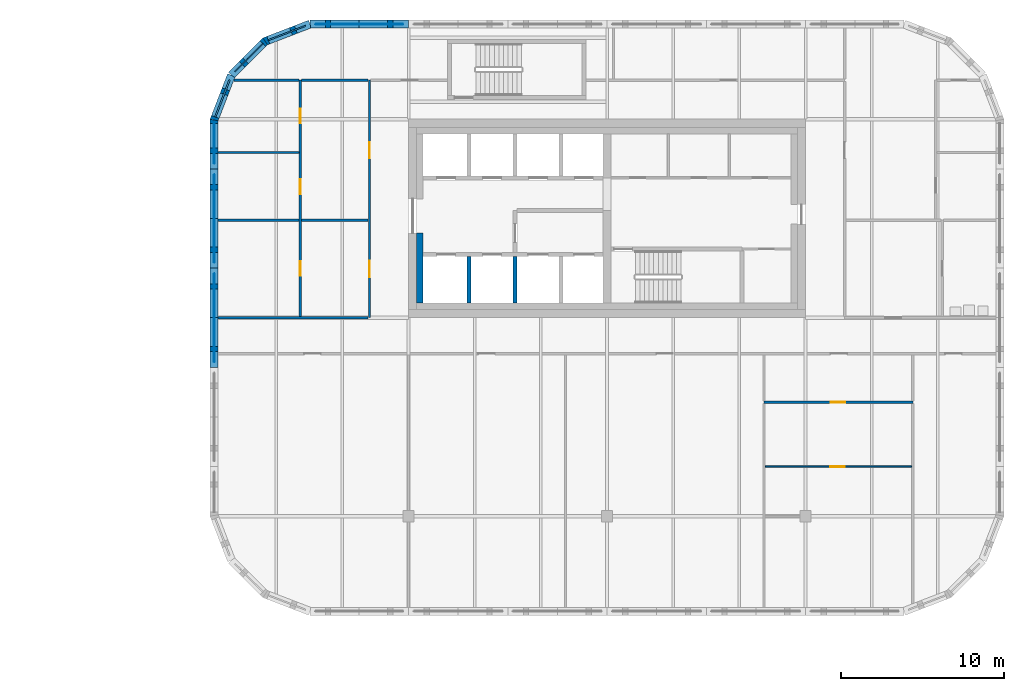
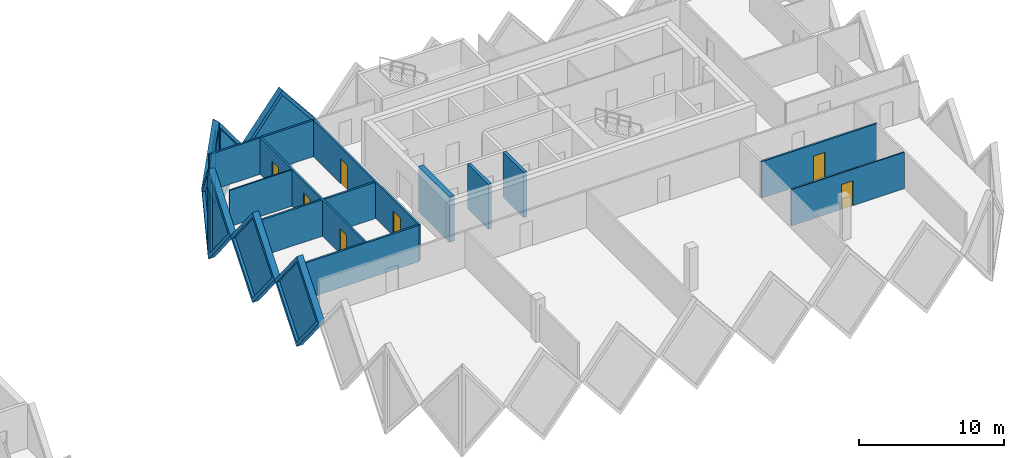
# One storey, part 12 of 19: 20 walls, 7 doors, 7 plates, 14 openings.
"""IFC4 building model written with IfcOpenShell, lengths in metres."""

import ifcopenshell
import ifcopenshell.guid

model = None  # the IFC model being written
_history = None  # IfcOwnerHistory: only IFC2X3 demands one
_inside = {}  # id of a spatial element -> (the spatial element, [elements in it])
_under = {}  # id of a project, library or spatial element -> (it, [spatial elements below it])
_declared = {}  # id of a project -> (the project, [libraries it declares])
_typed = {}  # id of a type object -> (the type object, [elements of that type])
_made_of = {}  # id of a material, layer set ... -> (it, [elements and type objects made of it])


def new_model(schema):
    """Start an empty IFC model of exactly this schema.

    Asked for "IFC4X3", IfcOpenShell would pick the latest addendum, in which some entities
    have other attributes; the version numbers below select the first issue.
    IFC2X3 requires an IfcOwnerHistory on every rooted entity: one is made here for all.
    """
    global model, _history
    if schema == "IFC4X3":
        model = ifcopenshell.file(schema_version=(4, 3, 0, 0))
    else:
        model = ifcopenshell.file(schema=schema)
    _inside.clear()
    _under.clear()
    _declared.clear()
    _typed.clear()
    _made_of.clear()
    _history = None
    if model.schema == "IFC2X3":
        org = make("IfcOrganization", Name="unknown")
        user = make(
            "IfcPersonAndOrganization",
            ThePerson=make("IfcPerson", FamilyName="unknown"),
            TheOrganization=org,
        )
        app = make(
            "IfcApplication",
            ApplicationDeveloper=org,
            Version="unknown",
            ApplicationFullName="unknown",
            ApplicationIdentifier="unknown",
        )
        _history = make(
            "IfcOwnerHistory",
            OwningUser=user,
            OwningApplication=app,
            ChangeAction="ADDED",
            CreationDate=0,
        )
    return model


def make(cls, **values):
    """One entity of the class cls with the attributes given. An attribute that is None is left unset."""
    return model.create_entity(
        cls, **{name: value for name, value in values.items() if value is not None}
    )


def rooted(cls, **values):
    """An entity with a GlobalId (a new one), such as an element, a storey or a relation."""
    return make(cls, GlobalId=ifcopenshell.guid.new(), OwnerHistory=_history, **values)


def si_unit(unit_type, name, prefix=None):
    """IfcSIUnit, for example si_unit("LENGTHUNIT", "METRE", prefix="MILLI")."""
    return make("IfcSIUnit", UnitType=unit_type, Prefix=prefix, Name=name)


def assignment(units):
    """IfcUnitAssignment: the units of a project."""
    return None if units is None else make("IfcUnitAssignment", Units=units)


def point(xyz):
    """IfcCartesianPoint."""
    return None if xyz is None else make("IfcCartesianPoint", Coordinates=xyz)


def direction(xyz):
    """IfcDirection."""
    return None if xyz is None else make("IfcDirection", DirectionRatios=xyz)


def frame(location, z_axis=None, x_axis=None):
    """IfcAxis2Placement3D, a coordinate frame: its origin and axes. An axis left out is left unset."""
    return make(
        "IfcAxis2Placement3D",
        Location=point(location),
        Axis=direction(z_axis),
        RefDirection=direction(x_axis),
    )


def frame_2d(location, x_axis=None):
    """IfcAxis2Placement2D, a coordinate frame in the plane: its origin and x axis."""
    return make(
        "IfcAxis2Placement2D", Location=point(location), RefDirection=direction(x_axis)
    )


def origin():
    """The frame at (0, 0, 0) with its axes left unset."""
    return frame((0.0, 0.0, 0.0))


def place(relative_to, where):
    """IfcLocalPlacement: puts the frame where relative to a parent placement (None: the world)."""
    return make(
        "IfcLocalPlacement", PlacementRelTo=relative_to, RelativePlacement=where
    )


def context(
    kind, dimensions, precision=None, world=None, true_north=None, identifier=None
):
    """IfcGeometricRepresentationContext, for example the 3D "Model" context."""
    return make(
        "IfcGeometricRepresentationContext",
        ContextIdentifier=identifier,
        ContextType=kind,
        CoordinateSpaceDimension=dimensions,
        Precision=precision,
        WorldCoordinateSystem=world,
        TrueNorth=true_north,
    )


def subcontext(parent, identifier, kind, view, scale=None):
    """IfcGeometricRepresentationSubContext, for example "Body" below "Model"."""
    return make(
        "IfcGeometricRepresentationSubContext",
        ContextIdentifier=identifier,
        ContextType=kind,
        ParentContext=parent,
        TargetScale=scale,
        TargetView=view,
    )


def project(units=None, contexts=None):
    """IfcProject with its units and contexts."""
    return rooted(
        "IfcProject",
        Name="project",
        RepresentationContexts=contexts,
        UnitsInContext=assignment(units),
    )


def spatial(cls, under=None, at=None, **own):
    """A site, building, storey or space (cls), placed at a placement, below another one or the project."""
    s = rooted(cls, ObjectPlacement=at, **own)
    if under is not None:
        _under.setdefault(under.id(), (under, []))[1].append(s)
    return s


def polyline(points):
    """IfcPolyline through the points."""
    return make("IfcPolyline", Points=[point(p) for p in points])


def profile(cls, at=None, kind="AREA", **sizes):
    """A parametric profile (cls). Its sizes go by their IFC names, for example OverallWidth=200.0."""
    return make(cls, ProfileType=kind, Position=at, **sizes)


def rectangle(**sizes):
    """IfcRectangleProfileDef."""
    return profile("IfcRectangleProfileDef", **sizes)


def outline(outer, holes=None, kind="AREA"):
    """IfcArbitraryClosedProfileDef: a profile drawn as a closed curve; with holes, ...WithVoids."""
    if holes is None:
        return make("IfcArbitraryClosedProfileDef", ProfileType=kind, OuterCurve=outer)
    return make(
        "IfcArbitraryProfileDefWithVoids",
        ProfileType=kind,
        OuterCurve=outer,
        InnerCurves=holes,
    )


def extrude(swept, where, along, depth):
    """IfcExtrudedAreaSolid: the profile swept, set in the frame where, extruded along a direction by depth."""
    return make(
        "IfcExtrudedAreaSolid",
        SweptArea=swept,
        Position=where,
        ExtrudedDirection=direction(along),
        Depth=depth,
    )


def faces_of(points, faces, orient=None, outer=None):
    """IfcFace entities. A face is a list of loops; a loop is a list of indices into points, from 0.

    orient and outer hold one flag for each loop. By default every Orientation is true, the
    first loop of a face is its IfcFaceOuterBound and the others are IfcFaceBound.
    """
    made = []
    for i, loops in enumerate(faces):
        bounds = []
        for j, loop in enumerate(loops):
            is_outer = j == 0 if outer is None else outer[i][j]
            bounds.append(
                make(
                    "IfcFaceOuterBound" if is_outer else "IfcFaceBound",
                    Bound=make("IfcPolyLoop", Polygon=[points[k] for k in loop]),
                    Orientation=True if orient is None else orient[i][j],
                )
            )
        made.append(make("IfcFace", Bounds=bounds))
    return made


def faceted_brep(points, faces, orient=None, outer=None, voids=None):
    """IfcFacetedBrep: a solid bounded by flat faces; with voids (closed shells), ...WithVoids."""
    shared = [point(p) for p in points]
    hull = make("IfcClosedShell", CfsFaces=faces_of(shared, faces, orient, outer))
    if voids is None:
        return make("IfcFacetedBrep", Outer=hull)
    return make(
        "IfcFacetedBrepWithVoids",
        Outer=hull,
        Voids=[
            make(cls, CfsFaces=faces_of(shared, fs, o, b)) for cls, fs, o, b in voids
        ],
    )


def shape(context_of_items, identifier, shape_type, items):
    """IfcShapeRepresentation: the items that make up one representation, for example the "Body"."""
    return make(
        "IfcShapeRepresentation",
        ContextOfItems=context_of_items,
        RepresentationIdentifier=identifier,
        RepresentationType=shape_type,
        Items=items,
    )


def source(mapping_origin, context_of_items, identifier, shape_type, items):
    """IfcRepresentationMap: a shape defined once, which mapped items show again and again."""
    return make(
        "IfcRepresentationMap",
        MappingOrigin=mapping_origin,
        MappedRepresentation=shape(context_of_items, identifier, shape_type, items),
    )


def transform(
    local_origin,
    x_axis=None,
    y_axis=None,
    z_axis=None,
    scale=None,
    scale2=None,
    scale3=None,
    uniform=True,
):
    """IfcCartesianTransformationOperator3D, or its non-uniform kind. x_axis, y_axis, z_axis: its Axis1, 2, 3."""
    if uniform:
        return make(
            "IfcCartesianTransformationOperator3D",
            Axis1=direction(x_axis),
            Axis2=direction(y_axis),
            LocalOrigin=point(local_origin),
            Scale=scale,
            Axis3=direction(z_axis),
        )
    return make(
        "IfcCartesianTransformationOperator3DnonUniform",
        Axis1=direction(x_axis),
        Axis2=direction(y_axis),
        LocalOrigin=point(local_origin),
        Scale=scale,
        Axis3=direction(z_axis),
        Scale2=scale2,
        Scale3=scale3,
    )


def mapped(mapping_source, mapping_target):
    """IfcMappedItem: shows the shape of a source again, moved by a transform."""
    return make(
        "IfcMappedItem", MappingSource=mapping_source, MappingTarget=mapping_target
    )


def material(Name=None, Category=None):
    """IfcMaterial."""
    return make("IfcMaterial", Name=Name, Category=Category)


def layer(
    of_material, thickness, ventilated=None, Name=None, Category=None, Priority=None
):
    """IfcMaterialLayer: one layer of a wall or slab, of a material (None: an air gap)."""
    return make(
        "IfcMaterialLayer",
        Material=of_material,
        LayerThickness=thickness,
        IsVentilated=ventilated,
        Name=Name,
        Category=Category,
        Priority=Priority,
    )


def layer_set(layers, Name=None):
    """IfcMaterialLayerSet."""
    return make("IfcMaterialLayerSet", MaterialLayers=layers, LayerSetName=Name)


def made_of(thing, what):
    """Note that an element or type object is made of a material, layer set ...; save() writes the relation."""
    if what is not None:
        _made_of.setdefault(what.id(), (what, []))[1].append(thing)
    return thing


def type_object(cls, material=None, **own):
    """A type object (cls), such as IfcWallType, which elements share."""
    return made_of(rooted(cls, **own), material)


def element(
    cls,
    number,
    at=None,
    inside=None,
    cuts=None,
    type_object=None,
    material=None,
    context=None,
    identifier="Body",
    shape_type=None,
    held_by="IfcProductDefinitionShape",
    body=None,
    shapes=None,
    **own,
):
    """One element of the class cls, such as IfcWall. Its Tag is "e" and its number.

    at: its placement. inside: the storey or other place that contains it. cuts: it is an
    opening in that element (IfcRelVoidsElement). A single representation is given by context,
    identifier, shape_type and body (its items); several are given by shapes. held_by: the class
    of the entity that holds the representations. save() writes the other relations.
    """
    e = rooted(cls, Tag="e%d" % number, ObjectPlacement=at, **own)
    if body is not None:
        shapes = [shape(context, identifier, shape_type, body)]
    if shapes is not None:
        e.Representation = make(held_by, Representations=shapes)
    if inside is not None:
        _inside.setdefault(inside.id(), (inside, []))[1].append(e)
    if cuts is not None:
        rooted(
            "IfcRelVoidsElement", RelatingBuildingElement=cuts, RelatedOpeningElement=e
        )
    if type_object is not None:
        _typed.setdefault(type_object.id(), (type_object, []))[1].append(e)
    return made_of(e, material)


def fill(opening, filler):
    """IfcRelFillsElement: the door or window that sits in an opening."""
    return rooted(
        "IfcRelFillsElement",
        RelatingOpeningElement=opening,
        RelatedBuildingElement=filler,
    )


def aggregate(whole, parts):
    """IfcRelAggregates: a whole, such as a stair, and the parts it consists of."""
    return rooted("IfcRelAggregates", RelatingObject=whole, RelatedObjects=parts)


def save(model, path):
    """Write the relations noted so far, then the file.

    IfcRelAggregates (storeys below a building ...), IfcRelContainedInSpatialStructure (elements
    in a storey), IfcRelDefinesByType, IfcRelAssociatesMaterial and IfcRelDeclares: one each for
    every whole, place, type object, material and project.
    """
    for whole, parts in _under.values():
        aggregate(whole, parts)
    for where, things in _inside.values():
        rooted(
            "IfcRelContainedInSpatialStructure",
            RelatedElements=things,
            RelatingStructure=where,
        )
    for kind, things in _typed.values():
        rooted("IfcRelDefinesByType", RelatedObjects=things, RelatingType=kind)
    for what, things in _made_of.values():
        rooted("IfcRelAssociatesMaterial", RelatedObjects=things, RelatingMaterial=what)
    for by, libraries in _declared.values():
        rooted("IfcRelDeclares", RelatingContext=by, RelatedDefinitions=libraries)
    model.write(path)


model = new_model("IFC4")

# Units and contexts
model_context = context("Model", 3, precision=1e-05, world=origin(), true_north=direction((0.0, 1.0)))
body_context = subcontext(model_context, "Body", "Model", "MODEL_VIEW")
ifc_project = project(units=[si_unit("LENGTHUNIT", "METRE"), si_unit("AREAUNIT", "SQUARE_METRE"), si_unit("VOLUMEUNIT", "CUBIC_METRE"), si_unit("PLANEANGLEUNIT", "RADIAN"), si_unit("MASSUNIT", "GRAM", prefix="KILO")], contexts=[model_context])

# Site, building, storey
site_placement = place(None, origin())
site = spatial("IfcSite", under=ifc_project, at=site_placement, CompositionType="ELEMENT")
building_placement = place(site_placement, origin())
building = spatial("IfcBuilding", under=site, at=building_placement, Name="Tessera Gate Towers", CompositionType="ELEMENT")
storey_placement = place(building_placement, frame((0.0, 0.0, 80.0)))
storey = spatial("IfcBuildingStorey", under=building, at=storey_placement, Name="L19", CompositionType="ELEMENT", Elevation=80.0)

# Walls
ifc_material_1 = material(Name="Concrete C40/50", Category="concrete")
ifc_layer_1 = layer(ifc_material_1, 0.25)
ifc_layer_set_1 = layer_set([ifc_layer_1], Name="CORE ENCLOSURE WALL 250")
wall_type_1 = type_object("IfcWallType", Name="CORE ENCLOSURE WALL 250", PredefinedType="SOLIDWALL", material=ifc_layer_set_1)
for number, where, z_axis, x_axis, name in (
    (1, (104.14990234375, 37.5, 0.0), (0.0, 0.0, 1.0), (0.0, 1.0, 0.0), "L19 shaft and stair enclosure wall"),
    (2, (101.324951171875, 37.5, 0.0), (0.0, 0.0, 1.0), (0.0, 1.0, 0.0), "L19 shaft and stair enclosure wall"),
):
    element("IfcWall", number, at=place(storey_placement, frame(where, z_axis=z_axis, x_axis=x_axis)), inside=storey, type_object=wall_type_1, Name=name, PredefinedType="SOLIDWALL", context=body_context, shape_type="SweptSolid", body=[
        extrude(rectangle(XDim=2.875, YDim=0.25, at=frame_2d((1.4375, 0.0))), origin(), (0.0, 0.0, 1.0), 3.800048828125),
    ])
ifc_material_2 = material(Name="Concrete C50/60", Category="concrete")
ifc_layer_2 = layer(ifc_material_2, 0.39990234375)
ifc_layer_set_2 = layer_set([ifc_layer_2], Name="CORE WALL THICKENING 400")
wall_type_2 = type_object("IfcWallType", Name="CORE WALL THICKENING 400", PredefinedType="SOLIDWALL", material=ifc_layer_set_2)
wall_1_placement = place(storey_placement, frame((98.300048828125, 37.5, 0.0), z_axis=(0.0, 0.0, 1.0), x_axis=(0.0, 1.0, 0.0)))
element("IfcWall", 3, at=wall_1_placement, inside=storey, type_object=wall_type_2, Name="Core wall thickening W L19", PredefinedType="SOLIDWALL", context=body_context, shape_type="SweptSolid", body=[
    extrude(rectangle(XDim=4.300048828125, YDim=0.39990234375, at=frame_2d((2.14990234375, 0.0))), origin(), (0.0, 0.0, 1.0), 3.800048828125),
])
ifc_material_3 = material(Name="Gypsum board on steel studs, mineral wool", Category="steel")
ifc_layer_3 = layer(ifc_material_3, 0.14990234375)
ifc_layer_set_3 = layer_set([ifc_layer_3], Name="CORRIDOR WALL 150")
wall_type_3 = type_object("IfcWallType", Name="CORRIDOR WALL 150", PredefinedType="PARTITIONING", material=ifc_layer_set_3)
wall_2_placement = place(storey_placement, frame((85.89990234375, 36.60009765625, 0.0), z_axis=(0.0, 0.0, 1.0), x_axis=(1.0, 0.0, 0.0)))
element("IfcWall", 4, at=wall_2_placement, inside=storey, type_object=wall_type_3, Name="T2-L19-PW-012", PredefinedType="PARTITIONING", context=body_context, shape_type="SweptSolid", body=[
    extrude(rectangle(XDim=9.22412109375, YDim=0.14990234375, at=frame_2d((4.612060546875, 0.0))), origin(), (0.0, 0.0, 1.0), 3.06689453125),
])

# Wall, openings, doors
wall_3_placement = place(storey_placement, frame((95.199951171875, 36.60009765625, 0.0), z_axis=(0.0, 0.0, 1.0), x_axis=(0.0, 1.0, 0.0)))
wall_3 = element("IfcWall", 5, at=wall_3_placement, inside=storey, type_object=wall_type_3, Name="T2-L19-PW-013", PredefinedType="PARTITIONING", context=body_context, shape_type="SweptSolid", body=[
    extrude(rectangle(XDim=14.599853515625, YDim=0.14990234375, at=frame_2d((7.2998046875, 0.0))), origin(), (0.0, 0.0, 1.0), 3.06689453125),
])
shared_shape_1 = source(origin(), body_context, "Body", "SweptSolid", [
    extrude(rectangle(XDim=1.0, YDim=2.10009765625, at=frame_2d((0.5, 1.050048828125))), frame((0.0, 0.0849609375, 0.0), z_axis=(0.0, -1.0, 0.0), x_axis=(1.0, 0.0, 0.0)), (0.0, 0.0, 1.0), 0.169921875),
])
opening_1_placement = place(wall_3_placement, frame((9.800048828125, 0.0, 0.0)))
opening_1 = element("IfcOpeningElement", 6, at=opening_1_placement, cuts=wall_3, Name="Opening D2100FD60-B08-04", PredefinedType="OPENING", context=body_context, shape_type="MappedRepresentation", body=[
    mapped(shared_shape_1, transform((0.0, 0.0, 0.0), scale=1.0)),
])
opening_2_placement = place(wall_3_placement, frame((2.5, 0.0, 0.0)))
opening_2 = element("IfcOpeningElement", 7, at=opening_2_placement, cuts=wall_3, Name="Opening D2100FD60-B08-07", PredefinedType="OPENING", context=body_context, shape_type="MappedRepresentation", body=[
    mapped(shared_shape_1, transform((0.0, 0.0, 0.0), scale=1.0)),
])
ifc_material_4 = material(Name="Timber door leaf in steel frame", Category="steel")
door_type_1 = type_object("IfcDoorType", Name="TENANCY ENTRANCE DOOR 1000 FD60", OperationType="NOTDEFINED", PredefinedType="DOOR", material=ifc_material_4)
shared_shape_2 = source(origin(), body_context, "Body", "SweptSolid", [
    extrude(rectangle(XDim=1.0, YDim=2.10009765625, at=frame_2d((0.5, 1.050048828125))), frame((0.0, 0.02490234375, 0.0), z_axis=(0.0, -1.0, 0.0), x_axis=(1.0, 0.0, 0.0)), (0.0, 0.0, 1.0), 0.050048828125),
])
door_1_placement = place(opening_1_placement, origin())
door_1 = element("IfcDoor", 8, at=door_1_placement, inside=storey, type_object=door_type_1, Name="T2-L19-PD-010", OperationType="SINGLE_SWING_LEFT", OverallHeight=2.10009765625, OverallWidth=1.0, PredefinedType="DOOR", context=body_context, shape_type="MappedRepresentation", body=[
    mapped(shared_shape_2, transform((0.0, 0.0, 0.0), scale=1.0)),
])
fill(opening_1, door_1)
door_2_placement = place(opening_2_placement, origin())
door_2 = element("IfcDoor", 9, at=door_2_placement, inside=storey, type_object=door_type_1, Name="T2-L19-PD-015", OperationType="SINGLE_SWING_LEFT", OverallHeight=2.10009765625, OverallWidth=1.0, PredefinedType="DOOR", context=body_context, shape_type="MappedRepresentation", body=[
    mapped(shared_shape_2, transform((0.0, 0.0, 0.0), scale=1.0)),
])
fill(opening_2, door_2)

# Wall, opening, door
ifc_material_5 = material(Name="Gypsum board on steel studs", Category="steel")
ifc_layer_4 = layer(ifc_material_5, 0.10009765625)
ifc_layer_set_4 = layer_set([ifc_layer_4], Name="PARTITION 100")
wall_type_4 = type_object("IfcWallType", Name="PARTITION 100", PredefinedType="PARTITIONING", material=ifc_layer_set_4)
wall_4_placement = place(storey_placement, frame((128.52392578125, 27.449951171875, 0.0), z_axis=(0.0, 0.0, 1.0), x_axis=(-1.0, 0.0, 0.0)))
wall_4 = element("IfcWall", 10, at=wall_4_placement, inside=storey, type_object=wall_type_4, Name="T2-L19-PW-007", PredefinedType="PARTITIONING", context=body_context, shape_type="SweptSolid", body=[
    extrude(rectangle(XDim=8.998046875, YDim=0.10009765625, at=frame_2d((4.4990234375, 0.0))), origin(), (0.0, 0.0, 1.0), 3.06689453125),
])
shared_shape_3 = source(origin(), body_context, "Body", "SweptSolid", [
    extrude(rectangle(XDim=0.89990234375, YDim=2.10009765625, at=frame_2d((0.449951171875, 1.050048828125))), frame((0.0, 0.06005859375, 0.0), z_axis=(0.0, -1.0, 0.0), x_axis=(1.0, 0.0, 0.0)), (0.0, 0.0, 1.0), 0.1201171875),
])
opening_3_placement = place(wall_4_placement, frame((4.097900390625, 0.0, 0.0)))
opening_3 = element("IfcOpeningElement", 11, at=opening_3_placement, cuts=wall_4, Name="Opening D190-B08-07", PredefinedType="OPENING", context=body_context, shape_type="MappedRepresentation", body=[
    mapped(shared_shape_3, transform((0.0, 0.0, 0.0), scale=1.0)),
])
ifc_material_6 = material(Name="Timber door leaf in steel frame", Category="steel")
door_type_2 = type_object("IfcDoorType", Name="INTERNAL DOOR 900 NOT RATED", OperationType="NOTDEFINED", PredefinedType="DOOR", material=ifc_material_6)
shared_shape_4 = source(origin(), body_context, "Body", "SweptSolid", [
    extrude(rectangle(XDim=0.89990234375, YDim=2.10009765625, at=frame_2d((0.449951171875, 1.050048828125))), frame((0.0, 0.02490234375, 0.0), z_axis=(0.0, -1.0, 0.0), x_axis=(1.0, 0.0, 0.0)), (0.0, 0.0, 1.0), 0.050048828125),
])
door_3_placement = place(opening_3_placement, origin())
door_3 = element("IfcDoor", 12, at=door_3_placement, inside=storey, type_object=door_type_2, Name="T2-L19-PD-011", OperationType="SINGLE_SWING_RIGHT", OverallHeight=2.10009765625, OverallWidth=0.89990234375, PredefinedType="DOOR", context=body_context, shape_type="MappedRepresentation", body=[
    mapped(shared_shape_4, transform((0.0, 0.0, 0.0), scale=1.0)),
])
fill(opening_3, door_3)

# Wall
wall_5_placement = place(storey_placement, frame((85.89990234375, 46.7548828125, 0.0), z_axis=(0.0, 0.0, 1.0), x_axis=(1.0, 0.0, 0.0)))
element("IfcWall", 13, at=wall_5_placement, inside=storey, type_object=wall_type_4, Name="T2-L19-PW-023", PredefinedType="PARTITIONING", context=body_context, shape_type="SweptSolid", body=[
    extrude(rectangle(XDim=4.97412109375, YDim=0.10009765625, at=frame_2d((2.487060546875, 0.0))), origin(), (0.0, 0.0, 1.0), 3.06689453125),
])

# Wall, opening, door
ifc_material_7 = material(Name="Gypsum board on steel studs, mineral wool", Category="steel")
ifc_layer_5 = layer(ifc_material_7, 0.14990234375)
ifc_layer_set_5 = layer_set([ifc_layer_5], Name="TENANCY WALL 150")
wall_type_5 = type_object("IfcWallType", Name="TENANCY WALL 150", PredefinedType="PARTITIONING", material=ifc_layer_set_5)
wall_6_placement = place(storey_placement, frame((128.60009765625, 31.39990234375, 0.0), z_axis=(0.0, 0.0, 1.0), x_axis=(-1.0, 0.0, 0.0)))
wall_6 = element("IfcWall", 14, at=wall_6_placement, inside=storey, type_object=wall_type_5, Name="T2-L19-PW-008", PredefinedType="PARTITIONING", context=body_context, shape_type="SweptSolid", body=[
    extrude(rectangle(XDim=9.150146484375, YDim=0.14990234375, at=frame_2d((4.5751953125, 0.0))), origin(), (0.0, 0.0, 1.0), 3.06689453125),
])
shared_shape_5 = source(origin(), body_context, "Body", "SweptSolid", [
    extrude(rectangle(XDim=0.89990234375, YDim=2.10009765625, at=frame_2d((0.449951171875, 1.050048828125))), frame((0.0, 0.0849609375, 0.0), z_axis=(0.0, -1.0, 0.0), x_axis=(1.0, 0.0, 0.0)), (0.0, 0.0, 1.0), 0.169921875),
])
opening_4_placement = place(wall_6_placement, frame((4.14990234375, 0.0, 0.0)))
opening_4 = element("IfcOpeningElement", 15, at=opening_4_placement, cuts=wall_6, Name="Opening D190-B08-08", PredefinedType="OPENING", context=body_context, shape_type="MappedRepresentation", body=[
    mapped(shared_shape_5, transform((0.0, 0.0, 0.0), scale=1.0)),
])
door_4_placement = place(opening_4_placement, origin())
door_4 = element("IfcDoor", 16, at=door_4_placement, inside=storey, type_object=door_type_2, Name="T2-L19-PD-013", OperationType="SINGLE_SWING_RIGHT", OverallHeight=2.10009765625, OverallWidth=0.89990234375, PredefinedType="DOOR", context=body_context, shape_type="MappedRepresentation", body=[
    mapped(shared_shape_4, transform((0.0, 0.0, 0.0), scale=1.0)),
])
fill(opening_4, door_4)

# Wall, openings, doors
wall_7_placement = place(storey_placement, frame((90.949951171875, 36.676025390625, 0.0), z_axis=(0.0, 0.0, 1.0), x_axis=(0.0, 1.0, 0.0)))
wall_7 = element("IfcWall", 17, at=wall_7_placement, inside=storey, type_object=wall_type_5, Name="T2-L19-PW-015", PredefinedType="PARTITIONING", context=body_context, shape_type="SweptSolid", body=[
    extrude(rectangle(XDim=14.52392578125, YDim=0.14990234375, at=frame_2d((7.261962890625, 0.0))), origin(), (0.0, 0.0, 1.0), 3.06689453125),
])
opening_5_placement = place(wall_7_placement, frame((7.52490234375, 0.0, 0.0)))
opening_5 = element("IfcOpeningElement", 18, at=opening_5_placement, cuts=wall_7, Name="Opening D190-B08-02", PredefinedType="OPENING", context=body_context, shape_type="MappedRepresentation", body=[
    mapped(shared_shape_5, transform((0.0, 0.0, 0.0), scale=1.0)),
])
opening_6_placement = place(wall_7_placement, frame((11.878662109375, 0.0, 0.0)))
opening_6 = element("IfcOpeningElement", 19, at=opening_6_placement, cuts=wall_7, Name="Opening D190-B08-03", PredefinedType="OPENING", context=body_context, shape_type="MappedRepresentation", body=[
    mapped(shared_shape_5, transform((0.0, 0.0, 0.0), scale=1.0)),
])
opening_7_placement = place(wall_7_placement, frame((2.5, 0.0, 0.0)))
opening_7 = element("IfcOpeningElement", 20, at=opening_7_placement, cuts=wall_7, Name="Opening D190-B08-04", PredefinedType="OPENING", context=body_context, shape_type="MappedRepresentation", body=[
    mapped(shared_shape_5, transform((0.0, 0.0, 0.0), scale=1.0)),
])
door_5_placement = place(opening_5_placement, origin())
door_5 = element("IfcDoor", 21, at=door_5_placement, inside=storey, type_object=door_type_2, Name="T2-L19-PD-002", OperationType="SINGLE_SWING_LEFT", OverallHeight=2.10009765625, OverallWidth=0.89990234375, PredefinedType="DOOR", context=body_context, shape_type="MappedRepresentation", body=[
    mapped(shared_shape_4, transform((0.0, 0.0, 0.0), scale=1.0)),
])
fill(opening_5, door_5)
door_6_placement = place(opening_6_placement, origin())
door_6 = element("IfcDoor", 22, at=door_6_placement, inside=storey, type_object=door_type_2, Name="T2-L19-PD-003", OperationType="SINGLE_SWING_LEFT", OverallHeight=2.10009765625, OverallWidth=0.89990234375, PredefinedType="DOOR", context=body_context, shape_type="MappedRepresentation", body=[
    mapped(shared_shape_4, transform((0.0, 0.0, 0.0), scale=1.0)),
])
fill(opening_6, door_6)
door_7_placement = place(opening_7_placement, origin())
door_7 = element("IfcDoor", 23, at=door_7_placement, inside=storey, type_object=door_type_2, Name="T2-L19-PD-005", OperationType="SINGLE_SWING_LEFT", OverallHeight=2.10009765625, OverallWidth=0.89990234375, PredefinedType="DOOR", context=body_context, shape_type="MappedRepresentation", body=[
    mapped(shared_shape_4, transform((0.0, 0.0, 0.0), scale=1.0)),
])
fill(opening_7, door_7)

# Walls
wall_8_placement = place(storey_placement, frame((85.89990234375, 42.60009765625, 0.0), z_axis=(0.0, 0.0, 1.0), x_axis=(1.0, 0.0, 0.0)))
element("IfcWall", 24, at=wall_8_placement, inside=storey, type_object=wall_type_5, Name="T2-L19-PW-018", PredefinedType="PARTITIONING", context=body_context, shape_type="SweptSolid", body=[
    extrude(rectangle(XDim=4.97412109375, YDim=0.14990234375, at=frame_2d((2.487060546875, 0.0))), origin(), (0.0, 0.0, 1.0), 3.06689453125),
])
wall_9_placement = place(storey_placement, frame((91.02587890625, 42.60009765625, 0.0), z_axis=(0.0, 0.0, 1.0), x_axis=(1.0, 0.0, 0.0)))
element("IfcWall", 25, at=wall_9_placement, inside=storey, type_object=wall_type_5, Name="T2-L19-PW-019", PredefinedType="PARTITIONING", context=body_context, shape_type="SweptSolid", body=[
    extrude(rectangle(XDim=4.09814453125, YDim=0.14990234375, at=frame_2d((2.049072265625, 0.0))), origin(), (0.0, 0.0, 1.0), 3.06689453125),
])
wall_10_placement = place(storey_placement, frame((86.86181640625, 51.199951171875, 0.0), z_axis=(0.0, 0.0, 1.0), x_axis=(1.0, 0.0, 0.0)))
element("IfcWall", 26, at=wall_10_placement, inside=storey, type_object=wall_type_5, Name="T2-L19-PW-025", PredefinedType="PARTITIONING", context=body_context, shape_type="SweptSolid", body=[
    extrude(rectangle(XDim=4.01220703125, YDim=0.14990234375, at=frame_2d((2.006103515625, 0.0))), origin(), (0.0, 0.0, 1.0), 3.06689453125),
])
wall_11_placement = place(storey_placement, frame((91.02587890625, 51.199951171875, 0.0), z_axis=(0.0, 0.0, 1.0), x_axis=(1.0, 0.0, 0.0)))
element("IfcWall", 27, at=wall_11_placement, inside=storey, type_object=wall_type_5, Name="T2-L19-PW-026", PredefinedType="PARTITIONING", context=body_context, shape_type="SweptSolid", body=[
    extrude(rectangle(XDim=4.09814453125, YDim=0.14990234375, at=frame_2d((2.049072265625, 0.0))), origin(), (0.0, 0.0, 1.0), 3.06689453125),
])

# Wall, opening, plate
ifc_material_8 = material(Name="Precast concrete C60/75 white", Category="concrete")
ifc_layer_6 = layer(ifc_material_8, 0.5)
ifc_layer_set_6 = layer_set([ifc_layer_6], Name="TS1 tessera")
wall_type_6 = type_object("IfcWallType", Name="TS1 tessera", PredefinedType="SOLIDWALL", material=ifc_layer_set_6)
shared_shape_6 = source(origin(), body_context, "Body", "Brep", [
    faceted_brep([(3.050048828125, -0.25, 0.0), (6.099853515625, -0.25, 3.7998046875), (6.099853515625, -0.25, 3.80029296875), (3.050048828125, -0.25, 7.60009765625), (0.0, -0.25, 3.800048828125), (0.0, 0.25, 3.800048828125), (3.050048828125, 0.25, 7.60009765625), (6.099853515625, 0.25, 3.80029296875), (6.099853515625, 0.25, 3.7998046875), (3.050048828125, 0.25, 0.0)], [[[0, 1, 2, 3, 4]], [[5, 6, 7, 8, 9]], [[9, 8, 1, 0]], [[7, 6, 3, 2]], [[6, 5, 4, 3]], [[5, 9, 0, 4]], [[1, 8, 7, 2]]]),
])
wall_12_placement = place(storey_placement, frame((85.64990234375, 39.64990234375, -3.800048828125), z_axis=(0.0, 0.0, 1.0), x_axis=(0.0, -1.0, 0.0)))
wall_12 = element("IfcWall", 28, at=wall_12_placement, inside=storey, type_object=wall_type_6, Name="Precast tessera T2 TS1-0232", PredefinedType="SOLIDWALL", context=body_context, shape_type="MappedRepresentation", body=[
    mapped(shared_shape_6, transform((0.0, 0.0, 0.0), scale=1.0)),
])
shared_shape_7 = source(origin(), body_context, "Body", "SweptSolid", [
    extrude(outline(polyline([(3.050048828125, 0.3994140625), (5.779541015625, 3.800048828125), (3.050048828125, 7.20068359375), (0.320556640625, 3.800048828125), (3.050048828125, 0.3994140625)])), frame((0.0, 0.260009765625, 0.0), z_axis=(0.0, -1.0, 0.0), x_axis=(1.0, 0.0, 0.0)), (0.0, 0.0, 1.0), 0.52001953125),
])
opening_8_placement = place(wall_12_placement, origin())
opening_8 = element("IfcOpeningElement", 29, at=opening_8_placement, cuts=wall_12, Name="Opening T2-PL2-0436", PredefinedType="OPENING", context=body_context, shape_type="MappedRepresentation", body=[
    mapped(shared_shape_7, transform((0.0, 0.0, 0.0), scale=1.0)),
])
ifc_material_9 = material(Name="Low-e laminated glass", Category="glass")
ifc_layer_7 = layer(ifc_material_9, 0.06005859375)
ifc_layer_set_7 = layer_set([ifc_layer_7], Name="PL2 rhombic pane")
plate_type = type_object("IfcPlateType", Name="PL2 rhombic pane", PredefinedType="SHEET", material=ifc_layer_set_7)
shared_shape_8 = source(origin(), body_context, "Body", "SweptSolid", [
    extrude(outline(polyline([(3.050048828125, 0.3994140625), (5.779541015625, 3.800048828125), (3.050048828125, 7.20068359375), (0.320556640625, 3.800048828125), (3.050048828125, 0.3994140625)])), frame((0.0, 0.030029296875, 0.0), z_axis=(0.0, -1.0, 0.0), x_axis=(1.0, 0.0, 0.0)), (0.0, 0.0, 1.0), 0.06005859375),
])
plate_1_placement = place(opening_8_placement, origin())
plate_1 = element("IfcPlate", 30, at=plate_1_placement, inside=storey, type_object=plate_type, Name="Glass pane T2 PL2-0436", PredefinedType="SHEET", context=body_context, shape_type="MappedRepresentation", body=[
    mapped(shared_shape_8, transform((0.0, 0.0, 0.0), scale=1.0)),
])
fill(opening_8, plate_1)

shared_shape_9 = source(origin(), body_context, "Body", "SweptSolid", [
    extrude(outline(polyline([(3.050048828125, 0.0), (6.10009765625, 3.800048828125), (3.050048828125, 7.60009765625), (0.0, 3.800048828125), (3.050048828125, 0.0)])), frame((0.0, 0.25, 0.0), z_axis=(0.0, -1.0, 0.0), x_axis=(1.0, 0.0, 0.0)), (0.0, 0.0, 1.0), 0.5),
])
wall_13_placement = place(storey_placement, frame((85.64990234375, 45.75, -3.800048828125), z_axis=(0.0, 0.0, 1.0), x_axis=(0.0, -1.0, 0.0)))
wall_13 = element("IfcWall", 31, at=wall_13_placement, inside=storey, type_object=wall_type_6, Name="Precast tessera T2 TS1-0231", PredefinedType="SOLIDWALL", context=body_context, shape_type="MappedRepresentation", body=[
    mapped(shared_shape_9, transform((0.0, 0.0, 0.0), scale=1.0)),
])
opening_9_placement = place(wall_13_placement, origin())
opening_9 = element("IfcOpeningElement", 32, at=opening_9_placement, cuts=wall_13, Name="Opening T2-PL2-0435", PredefinedType="OPENING", context=body_context, shape_type="MappedRepresentation", body=[
    mapped(shared_shape_7, transform((0.0, 0.0, 0.0), scale=1.0)),
])
plate_2_placement = place(opening_9_placement, origin())
plate_2 = element("IfcPlate", 33, at=plate_2_placement, inside=storey, type_object=plate_type, Name="Glass pane T2 PL2-0435", PredefinedType="SHEET", context=body_context, shape_type="MappedRepresentation", body=[
    mapped(shared_shape_8, transform((0.0, 0.0, 0.0), scale=1.0)),
])
fill(opening_9, plate_2)

shared_shape_10 = source(origin(), body_context, "Body", "Brep", [
    faceted_brep([(3.050048828125, -0.25, 0.0), (6.053466796875, -0.25, 3.800048828125), (3.050048828125, -0.25, 7.60009765625), (0.0, -0.25, 3.800048828125), (0.0, 0.25, 3.800048828125), (3.050048828125, 0.25, 7.60009765625), (6.0068359375, 0.25, 3.85888671875), (6.0068359375, 0.25, 3.7412109375), (3.050048828125, 0.25, 0.0), (6.053466796875, 0.0, 3.800048828125)], [[[0, 1, 2, 3]], [[4, 5, 6, 7, 8]], [[8, 7, 9, 1, 0]], [[6, 5, 2, 1, 9]], [[5, 4, 3, 2]], [[4, 8, 0, 3]], [[9, 7, 6]]]),
])
wall_14_placement = place(storey_placement, frame((97.60009765625, 54.64990234375, -3.800048828125), z_axis=(0.0, 0.0, 1.0), x_axis=(-1.0, 0.0, 0.0)))
wall_14 = element("IfcWall", 34, at=wall_14_placement, inside=storey, type_object=wall_type_6, Name="Precast tessera T2 TS1-0230", PredefinedType="SOLIDWALL", context=body_context, shape_type="MappedRepresentation", body=[
    mapped(shared_shape_10, transform((0.0, 0.0, 0.0), scale=1.0)),
])
shared_shape_11 = source(origin(), body_context, "Body", "SweptSolid", [
    extrude(outline(polyline([(3.048583984375, 0.4013671875), (5.73486328125, 3.800048828125), (3.048583984375, 7.19873046875), (0.320556640625, 3.800048828125), (3.048583984375, 0.4013671875)])), frame((0.0, 0.260009765625, 0.0), z_axis=(0.0, -1.0, 0.0), x_axis=(1.0, 0.0, 0.0)), (0.0, 0.0, 1.0), 0.52001953125),
])
opening_10_placement = place(wall_14_placement, origin())
opening_10 = element("IfcOpeningElement", 35, at=opening_10_placement, cuts=wall_14, Name="Opening T2-PL2-0430", PredefinedType="OPENING", context=body_context, shape_type="MappedRepresentation", body=[
    mapped(shared_shape_11, transform((0.0, 0.0, 0.0), scale=1.0)),
])
shared_shape_12 = source(origin(), body_context, "Body", "SweptSolid", [
    extrude(outline(polyline([(3.048583984375, 0.4013671875), (5.73486328125, 3.800048828125), (3.048583984375, 7.19873046875), (0.320556640625, 3.800048828125), (3.048583984375, 0.4013671875)])), frame((0.0, 0.030029296875, 0.0), z_axis=(0.0, -1.0, 0.0), x_axis=(1.0, 0.0, 0.0)), (0.0, 0.0, 1.0), 0.06005859375),
])
plate_3_placement = place(opening_10_placement, origin())
plate_3 = element("IfcPlate", 36, at=plate_3_placement, inside=storey, type_object=plate_type, Name="Glass pane T2 PL2-0430", PredefinedType="SHEET", context=body_context, shape_type="MappedRepresentation", body=[
    mapped(shared_shape_12, transform((0.0, 0.0, 0.0), scale=1.0)),
])
fill(opening_10, plate_3)

ifc_material_10 = material(Name="Precast concrete C60/75 white", Category="concrete")
ifc_layer_8 = layer(ifc_material_10, 0.5)
ifc_layer_set_8 = layer_set([ifc_layer_8], Name="TS3 corner tessera")
wall_type_7 = type_object("IfcWallType", Name="TS3 corner tessera", PredefinedType="SOLIDWALL", material=ifc_layer_set_8)
shared_shape_13 = source(origin(), body_context, "Body", "Brep", [
    faceted_brep([(2.950439453125, -0.25, 0.0), (3.00341796875, -0.25, 0.068359375), (3.00341796875, -0.25, 7.53173828125), (2.950439453125, -0.25, 7.60009765625), (0.0, -0.25, 3.800048828125), (0.046630859375, 0.25, 3.860107421875), (2.897705078125, 0.25, 7.531982421875), (2.897705078125, 0.25, 0.068115234375), (0.046630859375, 0.25, 3.739990234375), (2.950439453125, 0.00048828125, 0.0), (2.950439453125, 0.00048828125, 7.60009765625), (0.0, 0.0, 3.800048828125)], [[[0, 1, 2, 3, 4]], [[5, 6, 7, 8]], [[1, 0, 9]], [[10, 3, 2]], [[6, 5, 11, 4, 3, 10]], [[8, 7, 9, 0, 4, 11]], [[8, 11, 5]], [[1, 9, 7, 6, 10, 2]]]),
])
wall_15_placement = place(storey_placement, frame((91.546630859375, 54.64990234375, -3.800048828125), z_axis=(0.0, 0.0, 1.0), x_axis=(-0.933007896601, -0.359855894603, 0.0)))
wall_15 = element("IfcWall", 37, at=wall_15_placement, inside=storey, type_object=wall_type_7, Name="Precast corner tessera T2 TS3-0281", PredefinedType="SOLIDWALL", context=body_context, shape_type="MappedRepresentation", body=[
    mapped(shared_shape_13, transform((0.0, 0.0, 0.0), scale=1.0)),
])
shared_shape_14 = source(origin(), body_context, "Body", "SweptSolid", [
    extrude(outline(polyline([(2.75048828125, 6.934814453125), (0.31640625, 3.800048828125), (2.75048828125, 0.665283203125), (2.75048828125, 6.934814453125)])), frame((0.0, 0.260009765625, 0.0), z_axis=(0.0, -1.0, 0.0), x_axis=(1.0, 0.0, 0.0)), (0.0, 0.0, 1.0), 0.52001953125),
])
opening_11_placement = place(wall_15_placement, origin())
opening_11 = element("IfcOpeningElement", 38, at=opening_11_placement, cuts=wall_15, Name="Opening T2-PL2-0431", PredefinedType="OPENING", context=body_context, shape_type="MappedRepresentation", body=[
    mapped(shared_shape_14, transform((0.0, 0.0, 0.0), scale=1.0)),
])
shared_shape_15 = source(origin(), body_context, "Body", "SweptSolid", [
    extrude(outline(polyline([(2.75048828125, 6.934814453125), (0.31640625, 3.800048828125), (2.75048828125, 0.665283203125), (2.75048828125, 6.934814453125)])), frame((0.0, 0.030029296875, 0.0), z_axis=(0.0, -1.0, 0.0), x_axis=(1.0, 0.0, 0.0)), (0.0, 0.0, 1.0), 0.06005859375),
])
plate_4_placement = place(opening_11_placement, origin())
plate_4 = element("IfcPlate", 39, at=plate_4_placement, inside=storey, type_object=plate_type, Name="Glass pane T2 PL2-0431", PredefinedType="SHEET", context=body_context, shape_type="MappedRepresentation", body=[
    mapped(shared_shape_15, transform((0.0, 0.0, 0.0), scale=1.0)),
])
fill(opening_11, plate_4)

shared_shape_16 = source(origin(), body_context, "Body", "Brep", [
    faceted_brep([(0.052978515625, -0.25, 0.0), (2.9970703125, -0.25, 3.800048828125), (0.052978515625, -0.25, 7.60009765625), (0.0, -0.25, 7.531982421875), (0.0, -0.25, 0.068115234375), (0.10595703125, 0.25, 7.53173828125), (2.944091796875, 0.25, 3.8681640625), (2.944091796875, 0.25, 3.73193359375), (0.10595703125, 0.25, 0.068359375), (2.9970703125, 0.000244140625, 3.800048828125), (0.052978515625, 0.0, 0.0), (0.052978515625, 0.0, 7.60009765625)], [[[0, 1, 2, 3, 4]], [[5, 6, 7, 8]], [[8, 7, 9, 1, 0, 10]], [[6, 5, 11, 2, 1, 9]], [[3, 2, 11]], [[10, 0, 4]], [[8, 10, 4, 3, 11, 5]], [[9, 7, 6]]]),
])
wall_16_placement = place(storey_placement, frame((88.831298828125, 53.62548828125, -3.800048828125), z_axis=(0.0, 0.0, 1.0), x_axis=(-0.707147509625, -0.707066050402, 0.0)))
wall_16 = element("IfcWall", 40, at=wall_16_placement, inside=storey, type_object=wall_type_7, Name="Precast corner tessera T2 TS3-0282", PredefinedType="SOLIDWALL", context=body_context, shape_type="MappedRepresentation", body=[
    mapped(shared_shape_16, transform((0.0, 0.0, 0.0), scale=1.0)),
])
shared_shape_17 = source(origin(), body_context, "Body", "SweptSolid", [
    extrude(outline(polyline([(0.2529296875, 0.666259765625), (2.680908203125, 3.800048828125), (0.2529296875, 6.933837890625), (0.2529296875, 0.666259765625)])), frame((0.0, 0.260009765625, 0.0), z_axis=(0.0, -1.0, 0.0), x_axis=(1.0, 0.0, 0.0)), (0.0, 0.0, 1.0), 0.52001953125),
])
opening_12_placement = place(wall_16_placement, origin())
opening_12 = element("IfcOpeningElement", 41, at=opening_12_placement, cuts=wall_16, Name="Opening T2-PL2-0432", PredefinedType="OPENING", context=body_context, shape_type="MappedRepresentation", body=[
    mapped(shared_shape_17, transform((0.0, 0.0, 0.0), scale=1.0)),
])
shared_shape_18 = source(origin(), body_context, "Body", "SweptSolid", [
    extrude(outline(polyline([(0.2529296875, 0.666259765625), (2.680908203125, 3.800048828125), (0.2529296875, 6.933837890625), (0.2529296875, 0.666259765625)])), frame((0.0, 0.030029296875, 0.0), z_axis=(0.0, -1.0, 0.0), x_axis=(1.0, 0.0, 0.0)), (0.0, 0.0, 1.0), 0.06005859375),
])
plate_5_placement = place(opening_12_placement, origin())
plate_5 = element("IfcPlate", 42, at=plate_5_placement, inside=storey, type_object=plate_type, Name="Glass pane T2 PL2-0432", PredefinedType="SHEET", context=body_context, shape_type="MappedRepresentation", body=[
    mapped(shared_shape_18, transform((0.0, 0.0, 0.0), scale=1.0)),
])
fill(opening_12, plate_5)

shared_shape_19 = source(origin(), body_context, "Body", "Brep", [
    faceted_brep([(0.046630859375, -0.25, 0.0), (3.050048828125, -0.25, 3.800048828125), (0.046630859375, -0.25, 7.60009765625), (0.0, -0.25, 7.5400390625), (0.0, -0.25, 0.06005859375), (0.09326171875, 0.25, 7.541259765625), (3.050048828125, 0.25, 3.800048828125), (0.09326171875, 0.25, 0.058837890625), (0.046630859375, 0.0, 0.0), (0.046630859375, 0.0, 7.60009765625)], [[[0, 1, 2, 3, 4]], [[5, 6, 7]], [[7, 6, 1, 0, 8]], [[6, 5, 9, 2, 1]], [[3, 2, 9]], [[8, 0, 4]], [[7, 8, 4, 3, 9, 5]]]),
])
wall_17_placement = place(storey_placement, frame((85.64990234375, 48.800048828125, -3.800048828125), z_axis=(0.0, 0.0, 1.0), x_axis=(0.0, -1.0, 0.0)))
wall_17 = element("IfcWall", 43, at=wall_17_placement, inside=storey, type_object=wall_type_7, Name="Precast corner tessera T2 TS3-0284", PredefinedType="SOLIDWALL", context=body_context, shape_type="MappedRepresentation", body=[
    mapped(shared_shape_19, transform((0.0, 0.0, 0.0), scale=1.0)),
])
shared_shape_20 = source(origin(), body_context, "Body", "SweptSolid", [
    extrude(outline(polyline([(0.24658203125, 0.65625), (2.7314453125, 3.800048828125), (0.24658203125, 6.94384765625), (0.24658203125, 0.65625)])), frame((0.0, 0.260009765625, 0.0), z_axis=(0.0, -1.0, 0.0), x_axis=(1.0, 0.0, 0.0)), (0.0, 0.0, 1.0), 0.52001953125),
])
opening_13_placement = place(wall_17_placement, origin())
opening_13 = element("IfcOpeningElement", 44, at=opening_13_placement, cuts=wall_17, Name="Opening T2-PL2-0434", PredefinedType="OPENING", context=body_context, shape_type="MappedRepresentation", body=[
    mapped(shared_shape_20, transform((0.0, 0.0, 0.0), scale=1.0)),
])
shared_shape_21 = source(origin(), body_context, "Body", "SweptSolid", [
    extrude(outline(polyline([(0.24658203125, 0.65625), (2.7314453125, 3.800048828125), (0.24658203125, 6.94384765625), (0.24658203125, 0.65625)])), frame((0.0, 0.030029296875, 0.0), z_axis=(0.0, -1.0, 0.0), x_axis=(1.0, 0.0, 0.0)), (0.0, 0.0, 1.0), 0.06005859375),
])
plate_6_placement = place(opening_13_placement, origin())
plate_6 = element("IfcPlate", 45, at=plate_6_placement, inside=storey, type_object=plate_type, Name="Glass pane T2 PL2-0434", PredefinedType="SHEET", context=body_context, shape_type="MappedRepresentation", body=[
    mapped(shared_shape_21, transform((0.0, 0.0, 0.0), scale=1.0)),
])
fill(opening_13, plate_6)

shared_shape_22 = source(origin(), body_context, "Body", "Brep", [
    faceted_brep([(2.950439453125, -0.25, 0.0), (2.9970703125, -0.25, 0.05908203125), (2.9970703125, -0.25, 7.541015625), (2.950439453125, -0.25, 7.60009765625), (0.0, -0.25, 3.800048828125), (0.052978515625, 0.25, 3.8681640625), (2.904052734375, 0.25, 7.540283203125), (2.904052734375, 0.25, 0.059814453125), (0.052978515625, 0.25, 3.73193359375), (2.950439453125, 0.00048828125, 0.0), (2.950439453125, 0.00048828125, 7.60009765625), (0.0, 0.0, 3.800048828125)], [[[0, 1, 2, 3, 4]], [[5, 6, 7, 8]], [[1, 0, 9]], [[10, 3, 2]], [[6, 5, 11, 4, 3, 10]], [[8, 7, 9, 0, 4, 11]], [[8, 11, 5]], [[1, 9, 7, 6, 10, 2]]]),
])
wall_18_placement = place(storey_placement, frame((86.7119140625, 51.50634765625, -3.800048828125), z_axis=(0.0, 0.0, 1.0), x_axis=(-0.359874094142, -0.933000876937, 0.0)))
wall_18 = element("IfcWall", 46, at=wall_18_placement, inside=storey, type_object=wall_type_7, Name="Precast corner tessera T2 TS3-0283", PredefinedType="SOLIDWALL", context=body_context, shape_type="MappedRepresentation", body=[
    mapped(shared_shape_22, transform((0.0, 0.0, 0.0), scale=1.0)),
])
opening_14_placement = place(wall_18_placement, origin())
opening_14 = element("IfcOpeningElement", 47, at=opening_14_placement, cuts=wall_18, Name="Opening T2-PL2-0433", PredefinedType="OPENING", context=body_context, shape_type="MappedRepresentation", body=[
    mapped(shared_shape_14, transform((0.0, 0.0, 0.0), scale=1.0)),
])
plate_7_placement = place(opening_14_placement, origin())
plate_7 = element("IfcPlate", 48, at=plate_7_placement, inside=storey, type_object=plate_type, Name="Glass pane T2 PL2-0433", PredefinedType="SHEET", context=body_context, shape_type="MappedRepresentation", body=[
    mapped(shared_shape_15, transform((0.0, 0.0, 0.0), scale=1.0)),
])
fill(opening_14, plate_7)

save(model, "model.ifc")
